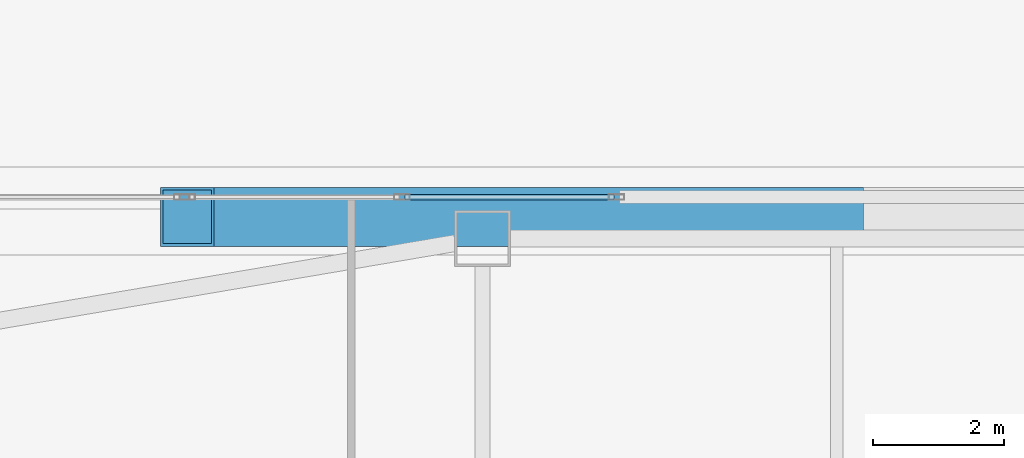
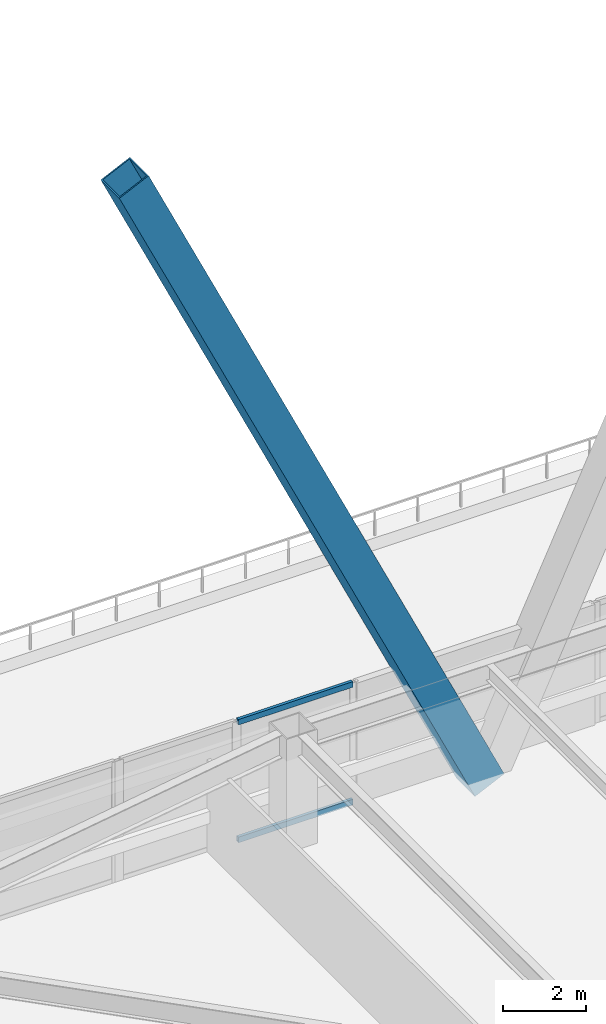
# One storey, part 19 of 83: 3 members, 1 element without a shape of its own.
"""IFC4 building model written with IfcOpenShell, lengths in metres."""

from ifc_helpers import new_model, si_unit, direction, frame, origin, origin_2d, place, context, subcontext, project, spatial, hollow_rectangle, extrude, material, material_profile, profile_set, type_object, element, aggregate, save


model = new_model("IFC4")

# Units and contexts
model_context = context("Model", 3, precision=1e-05, world=origin(), true_north=direction((0.0, 1.0)))
body_context = subcontext(model_context, "Body", "Model", "MODEL_VIEW")
ifc_project = project(units=[si_unit("LENGTHUNIT", "METRE"), si_unit("AREAUNIT", "SQUARE_METRE"), si_unit("VOLUMEUNIT", "CUBIC_METRE"), si_unit("PLANEANGLEUNIT", "RADIAN"), si_unit("MASSUNIT", "GRAM", prefix="KILO")], contexts=[model_context])

# Site, building, storey
site_placement = place(None, origin())
site = spatial("IfcSite", under=ifc_project, at=site_placement, CompositionType="ELEMENT")
building_placement = place(site_placement, origin())
building = spatial("IfcBuilding", under=site, at=building_placement, Name="Tashvorn Skyway Center", CompositionType="ELEMENT")
storey_placement = place(building_placement, frame((0.0, 0.0, 24.60009765625)))
storey = spatial("IfcBuildingStorey", under=building, at=storey_placement, Name="L05", CompositionType="ELEMENT", Elevation=24.60009765625)

# Curtain wall, members
ifc_material_1 = material(Name="Thermally broken bronze-anodized aluminium 6063-T6", Category="aluminium")
curtain_wall_type = type_object("IfcCurtainWallType", Name="CW-CW-Z1", PredefinedType="NOTDEFINED", material=ifc_material_1)
curtain_wall_placement = place(storey_placement, origin())
curtain_wall = element("IfcCurtainWall", 1, at=curtain_wall_placement, inside=storey, type_object=curtain_wall_type, Name="Tower 1 L05 North Unitised Curtain Wall Glazing Group 2", PredefinedType="NOTDEFINED")
ifc_material_profile_1 = material_profile(ifc_material_1, hollow_rectangle(XDim=0.0849609375, YDim=0.1650390625, WallThickness=0.0048828125, at=origin_2d()), Name="ALU-TRAN-85x165")
ifc_profile_set_1 = profile_set([ifc_material_profile_1], Name="Thermally broken bronze-anodized aluminium 6063-T6")
member_type_1 = type_object("IfcMemberType", Name="CWT-CW-Z1", PredefinedType="USERDEFINED", material=ifc_profile_set_1)
member_1_placement = place(storey_placement, frame((35.415771484375, 54.8798828125, 0.04248046875), z_axis=(1.0, 0.0, 0.0), x_axis=(0.0, 1.0, 0.0)))
member_1 = element("IfcMember", 2, at=member_1_placement, type_object=member_type_1, Name="CW-Z1 transom 2.1", ObjectType="TRANSOM", PredefinedType="USERDEFINED", context=body_context, shape_type="SweptSolid", body=[
    extrude(hollow_rectangle(XDim=0.0849609375, YDim=0.1650390625, WallThickness=0.0048828125, at=origin_2d()), origin(), (0.0, 0.0, 1.0), 3.18603515625),
])
member_2_placement = place(storey_placement, frame((35.415771484375, 54.8798828125, 3.50732421875), z_axis=(1.0, 0.0, 0.0), x_axis=(0.0, 1.0, 0.0)))
member_2 = element("IfcMember", 3, at=member_2_placement, type_object=member_type_1, Name="CW-Z1 transom 2.2", ObjectType="TRANSOM", PredefinedType="USERDEFINED", context=body_context, shape_type="SweptSolid", body=[
    extrude(hollow_rectangle(XDim=0.0849609375, YDim=0.1650390625, WallThickness=0.0048828125, at=origin_2d()), origin(), (0.0, 0.0, 1.0), 3.18603515625),
])
aggregate(curtain_wall, [member_1, member_2])

# Member
ifc_material_2 = material(Name="Steel ASTM A572 Grade 50", Category="steel")
ifc_material_profile_2 = material_profile(ifc_material_2, hollow_rectangle(XDim=0.89990234375, YDim=0.89990234375, WallThickness=0.0400390625, at=origin_2d()), Name="BOX900x900x40")
ifc_profile_set_2 = profile_set([ifc_material_profile_2], Name="Steel ASTM A572 Grade 50")
member_type_2 = type_object("IfcMemberType", Name="MEM-MB-900", PredefinedType="BRACE", material=ifc_profile_set_2)
member_3_placement = place(storey_placement, frame((42.0, 54.580078125, -0.22021484375), z_axis=(-0.425254538693, 0.0, 0.905073796616), x_axis=(0.0, -1.0, 0.0)))
element("IfcMember", 4, at=member_3_placement, inside=storey, type_object=member_type_2, Name="Tower 1 Zone 1 N Chevron Mega-Brace R1", PredefinedType="BRACE", context=body_context, shape_type="SweptSolid", body=[
    extrude(hollow_rectangle(XDim=0.89990234375, YDim=0.89990234375, WallThickness=0.0400390625, at=origin_2d()), origin(), (0.0, 0.0, 1.0), 23.280029296875),
])

save(model, "model.ifc")
